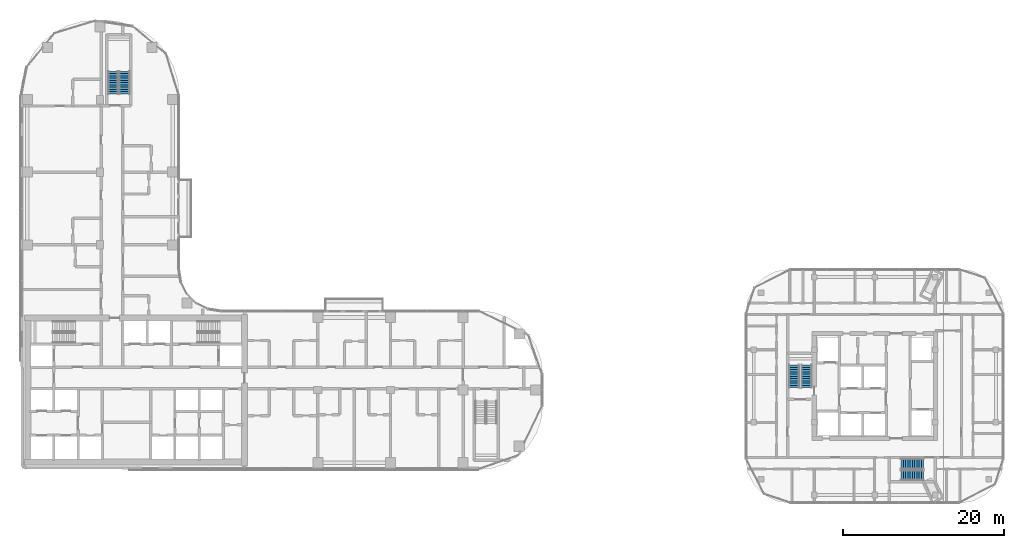
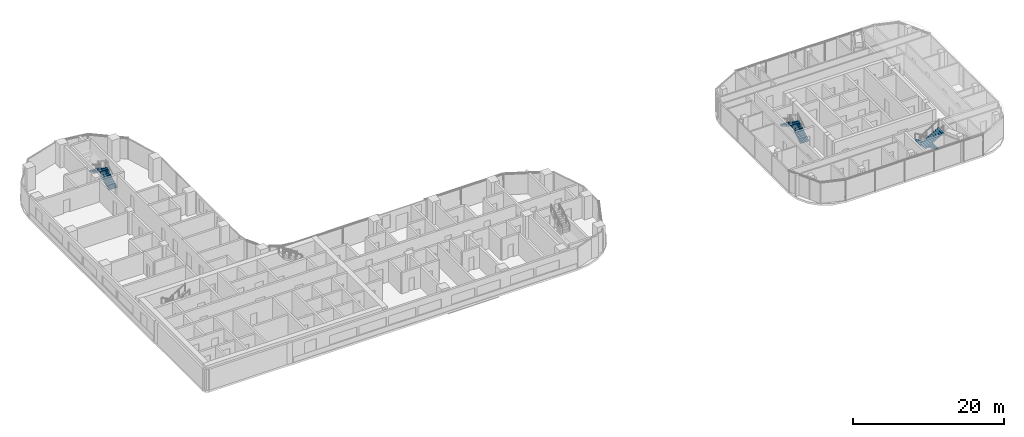
# One storey, part 29 of 35: 6 stair flights, 3 elements without a shape of their own.
"""IFC4 building model written with IfcOpenShell, lengths in metres."""

from ifc_helpers import new_model, si_unit, direction, frame, origin, place, context, subcontext, project, spatial, triangles, source, transform, mapped, material, type_object, element, aggregate, save


model = new_model("IFC4")

# Units and contexts
model_context = context("Model", 3, precision=1e-05, world=origin(), true_north=direction((0.0, 1.0)))
body_context = subcontext(model_context, "Body", "Model", "MODEL_VIEW")
ifc_project = project(units=[si_unit("LENGTHUNIT", "METRE"), si_unit("AREAUNIT", "SQUARE_METRE"), si_unit("VOLUMEUNIT", "CUBIC_METRE"), si_unit("PLANEANGLEUNIT", "RADIAN"), si_unit("MASSUNIT", "GRAM", prefix="KILO")], contexts=[model_context])

# Site, building, storey
site_placement = place(None, origin())
site = spatial("IfcSite", under=ifc_project, at=site_placement, CompositionType="ELEMENT")
building_placement = place(site_placement, origin())
building = spatial("IfcBuilding", under=site, at=building_placement, Name="Ogive Portal Towers", CompositionType="ELEMENT")
storey_placement = place(building_placement, frame((0.0, 0.0, 90.800048828125)))
storey = spatial("IfcBuildingStorey", under=building, at=storey_placement, Name="L21", CompositionType="ELEMENT", Elevation=90.800048828125)

# Stair, stair flights
ifc_material = material(Name="Concrete C40/50", Category="concrete")
stair_type = type_object("IfcStairType", Name="INT-STAIR", PredefinedType="HALF_TURN_STAIR", material=ifc_material)
stair_1_placement = place(storey_placement, origin())
stair_1 = element("IfcStair", 1, at=stair_1_placement, inside=storey, type_object=stair_type, Name="L21 Exit Stair ST-A3", PredefinedType="HALF_TURN_STAIR")
stair_flight_type = type_object("IfcStairFlightType", Name="INT-FLIGHT", PredefinedType="STRAIGHT", material=ifc_material)
shared_shape = source(origin(), body_context, "Body", "Tessellation", [
    triangles([(0.0, -0.650146484375, 0.0), (0.0, -0.376220703125, 0.0), (0.0, -0.192626953125, 0.0), (0.0, -0.081298828125, 0.0), (0.0, -0.024169921875, 0.0), (0.0, -0.003173828125, 0.0), (0.0, 0.0, 0.0), (0.0, 0.0029296875, 0.0), (0.0, 0.02392578125, 0.0), (0.0, 0.0810546875, 0.0), (0.0, 0.1923828125, 0.0), (0.0, 0.3759765625, 0.0), (0.0, 0.64990234375, 0.0), (0.0, -0.650146484375, 0.168212890625), (0.0, -0.376220703125, 0.168212890625), (0.0, -0.192626953125, 0.168212890625), (0.0, -0.081298828125, 0.168212890625), (0.0, -0.024169921875, 0.168212890625), (0.0, -0.003173828125, 0.168212890625), (0.0, 0.0, 0.168212890625), (0.0, 0.0029296875, 0.168212890625), (0.0, 0.02392578125, 0.168212890625), (0.0, 0.0810546875, 0.168212890625), (0.0, 0.1923828125, 0.168212890625), (0.0, 0.3759765625, 0.168212890625), (0.0, 0.64990234375, 0.168212890625), (0.280029296875, -0.650146484375, 0.168212890625), (0.280029296875, -0.376220703125, 0.168212890625), (0.280029296875, -0.192626953125, 0.168212890625), (0.280029296875, -0.081298828125, 0.168212890625), (0.280029296875, -0.024169921875, 0.168212890625), (0.280029296875, -0.003173828125, 0.168212890625), (0.280029296875, 0.0, 0.168212890625), (0.280029296875, 0.0029296875, 0.168212890625), (0.280029296875, 0.02392578125, 0.168212890625), (0.280029296875, 0.0810546875, 0.168212890625), (0.280029296875, 0.1923828125, 0.168212890625), (0.280029296875, 0.3759765625, 0.168212890625), (0.280029296875, 0.64990234375, 0.168212890625), (0.280029296875, -0.650146484375, 0.33642578125), (0.280029296875, -0.376220703125, 0.33642578125), (0.280029296875, -0.192626953125, 0.33642578125), (0.280029296875, -0.081298828125, 0.33642578125), (0.280029296875, -0.024169921875, 0.33642578125), (0.280029296875, -0.003173828125, 0.33642578125), (0.280029296875, 0.0, 0.33642578125), (0.280029296875, 0.0029296875, 0.33642578125), (0.280029296875, 0.02392578125, 0.33642578125), (0.280029296875, 0.0810546875, 0.33642578125), (0.280029296875, 0.1923828125, 0.33642578125), (0.280029296875, 0.3759765625, 0.33642578125), (0.280029296875, 0.64990234375, 0.33642578125), (0.56005859375, -0.650146484375, 0.33642578125), (0.56005859375, -0.376220703125, 0.33642578125), (0.56005859375, -0.192626953125, 0.33642578125), (0.56005859375, -0.081298828125, 0.33642578125), (0.56005859375, -0.024169921875, 0.33642578125), (0.56005859375, -0.003173828125, 0.33642578125), (0.56005859375, 0.0, 0.33642578125), (0.56005859375, 0.0029296875, 0.33642578125), (0.56005859375, 0.02392578125, 0.33642578125), (0.56005859375, 0.0810546875, 0.33642578125), (0.56005859375, 0.1923828125, 0.33642578125), (0.56005859375, 0.3759765625, 0.33642578125), (0.56005859375, 0.64990234375, 0.33642578125), (0.56005859375, -0.650146484375, 0.504638671875), (0.56005859375, -0.376220703125, 0.504638671875), (0.56005859375, -0.192626953125, 0.504638671875), (0.56005859375, -0.081298828125, 0.504638671875), (0.56005859375, -0.024169921875, 0.504638671875), (0.56005859375, -0.003173828125, 0.504638671875), (0.56005859375, 0.0, 0.504638671875), (0.56005859375, 0.0029296875, 0.504638671875), (0.56005859375, 0.02392578125, 0.504638671875), (0.56005859375, 0.0810546875, 0.504638671875), (0.56005859375, 0.1923828125, 0.504638671875), (0.56005859375, 0.3759765625, 0.504638671875), (0.56005859375, 0.64990234375, 0.504638671875), (0.840087890625, -0.650146484375, 0.504638671875), (0.840087890625, -0.376220703125, 0.504638671875), (0.840087890625, -0.192626953125, 0.504638671875), (0.840087890625, -0.081298828125, 0.504638671875), (0.840087890625, -0.024169921875, 0.504638671875), (0.840087890625, -0.003173828125, 0.504638671875), (0.840087890625, 0.0, 0.504638671875), (0.840087890625, 0.0029296875, 0.504638671875), (0.840087890625, 0.02392578125, 0.504638671875), (0.840087890625, 0.0810546875, 0.504638671875), (0.840087890625, 0.1923828125, 0.504638671875), (0.840087890625, 0.3759765625, 0.504638671875), (0.840087890625, 0.64990234375, 0.504638671875), (0.840087890625, -0.650146484375, 0.672607421875), (0.840087890625, -0.376220703125, 0.672607421875), (0.840087890625, -0.192626953125, 0.672607421875), (0.840087890625, -0.081298828125, 0.672607421875), (0.840087890625, -0.024169921875, 0.672607421875), (0.840087890625, -0.003173828125, 0.672607421875), (0.840087890625, 0.0, 0.672607421875), (0.840087890625, 0.0029296875, 0.672607421875), (0.840087890625, 0.02392578125, 0.672607421875), (0.840087890625, 0.0810546875, 0.672607421875), (0.840087890625, 0.1923828125, 0.672607421875), (0.840087890625, 0.3759765625, 0.672607421875), (0.840087890625, 0.64990234375, 0.672607421875), (1.1201171875, -0.650146484375, 0.672607421875), (1.1201171875, -0.376220703125, 0.672607421875), (1.1201171875, -0.192626953125, 0.672607421875), (1.1201171875, -0.081298828125, 0.672607421875), (1.1201171875, -0.024169921875, 0.672607421875), (1.1201171875, -0.003173828125, 0.672607421875), (1.1201171875, 0.0, 0.672607421875), (1.1201171875, 0.0029296875, 0.672607421875), (1.1201171875, 0.02392578125, 0.672607421875), (1.1201171875, 0.0810546875, 0.672607421875), (1.1201171875, 0.1923828125, 0.672607421875), (1.1201171875, 0.3759765625, 0.672607421875), (1.1201171875, 0.64990234375, 0.672607421875), (1.1201171875, -0.650146484375, 0.8408203125), (1.1201171875, -0.376220703125, 0.8408203125), (1.1201171875, -0.192626953125, 0.8408203125), (1.1201171875, -0.081298828125, 0.8408203125), (1.1201171875, -0.024169921875, 0.8408203125), (1.1201171875, -0.003173828125, 0.8408203125), (1.1201171875, 0.0, 0.8408203125), (1.1201171875, 0.0029296875, 0.8408203125), (1.1201171875, 0.02392578125, 0.8408203125), (1.1201171875, 0.0810546875, 0.8408203125), (1.1201171875, 0.1923828125, 0.8408203125), (1.1201171875, 0.3759765625, 0.8408203125), (1.1201171875, 0.64990234375, 0.8408203125), (1.39990234375, -0.650146484375, 0.8408203125), (1.39990234375, -0.376220703125, 0.8408203125), (1.39990234375, -0.192626953125, 0.8408203125), (1.39990234375, -0.081298828125, 0.8408203125), (1.39990234375, -0.024169921875, 0.8408203125), (1.39990234375, -0.003173828125, 0.8408203125), (1.39990234375, 0.0, 0.8408203125), (1.39990234375, 0.0029296875, 0.8408203125), (1.39990234375, 0.02392578125, 0.8408203125), (1.39990234375, 0.0810546875, 0.8408203125), (1.39990234375, 0.1923828125, 0.8408203125), (1.39990234375, 0.3759765625, 0.8408203125), (1.39990234375, 0.64990234375, 0.8408203125), (1.39990234375, -0.650146484375, 1.009033203125), (1.39990234375, -0.376220703125, 1.009033203125), (1.39990234375, -0.192626953125, 1.009033203125), (1.39990234375, -0.081298828125, 1.009033203125), (1.39990234375, -0.024169921875, 1.009033203125), (1.39990234375, -0.003173828125, 1.009033203125), (1.39990234375, 0.0, 1.009033203125), (1.39990234375, 0.0029296875, 1.009033203125), (1.39990234375, 0.02392578125, 1.009033203125), (1.39990234375, 0.0810546875, 1.009033203125), (1.39990234375, 0.1923828125, 1.009033203125), (1.39990234375, 0.3759765625, 1.009033203125), (1.39990234375, 0.64990234375, 1.009033203125), (1.679931640625, -0.650146484375, 1.009033203125), (1.679931640625, -0.376220703125, 1.009033203125), (1.679931640625, -0.192626953125, 1.009033203125), (1.679931640625, -0.081298828125, 1.009033203125), (1.679931640625, -0.024169921875, 1.009033203125), (1.679931640625, -0.003173828125, 1.009033203125), (1.679931640625, 0.0, 1.009033203125), (1.679931640625, 0.0029296875, 1.009033203125), (1.679931640625, 0.02392578125, 1.009033203125), (1.679931640625, 0.0810546875, 1.009033203125), (1.679931640625, 0.1923828125, 1.009033203125), (1.679931640625, 0.3759765625, 1.009033203125), (1.679931640625, 0.64990234375, 1.009033203125), (1.679931640625, -0.650146484375, 1.17724609375), (1.679931640625, -0.376220703125, 1.17724609375), (1.679931640625, -0.192626953125, 1.17724609375), (1.679931640625, -0.081298828125, 1.17724609375), (1.679931640625, -0.024169921875, 1.17724609375), (1.679931640625, -0.003173828125, 1.17724609375), (1.679931640625, 0.0, 1.17724609375), (1.679931640625, 0.0029296875, 1.17724609375), (1.679931640625, 0.02392578125, 1.17724609375), (1.679931640625, 0.0810546875, 1.17724609375), (1.679931640625, 0.1923828125, 1.17724609375), (1.679931640625, 0.3759765625, 1.17724609375), (1.679931640625, 0.64990234375, 1.17724609375), (1.9599609375, -0.650146484375, 1.17724609375), (1.9599609375, -0.376220703125, 1.17724609375), (1.9599609375, -0.192626953125, 1.17724609375), (1.9599609375, -0.081298828125, 1.17724609375), (1.9599609375, -0.024169921875, 1.17724609375), (1.9599609375, -0.003173828125, 1.17724609375), (1.9599609375, 0.0, 1.17724609375), (1.9599609375, 0.0029296875, 1.17724609375), (1.9599609375, 0.02392578125, 1.17724609375), (1.9599609375, 0.0810546875, 1.17724609375), (1.9599609375, 0.1923828125, 1.17724609375), (1.9599609375, 0.3759765625, 1.17724609375), (1.9599609375, 0.64990234375, 1.17724609375), (1.9599609375, -0.650146484375, 1.345458984375), (1.9599609375, -0.376220703125, 1.345458984375), (1.9599609375, -0.192626953125, 1.345458984375), (1.9599609375, -0.081298828125, 1.345458984375), (1.9599609375, -0.024169921875, 1.345458984375), (1.9599609375, -0.003173828125, 1.345458984375), (1.9599609375, 0.0, 1.345458984375), (1.9599609375, 0.0029296875, 1.345458984375), (1.9599609375, 0.02392578125, 1.345458984375), (1.9599609375, 0.0810546875, 1.345458984375), (1.9599609375, 0.1923828125, 1.345458984375), (1.9599609375, 0.3759765625, 1.345458984375), (1.9599609375, 0.64990234375, 1.345458984375), (2.239990234375, -0.650146484375, 1.345458984375), (2.239990234375, -0.376220703125, 1.345458984375), (2.239990234375, -0.192626953125, 1.345458984375), (2.239990234375, -0.081298828125, 1.345458984375), (2.239990234375, -0.024169921875, 1.345458984375), (2.239990234375, -0.003173828125, 1.345458984375), (2.239990234375, 0.0, 1.345458984375), (2.239990234375, 0.0029296875, 1.345458984375), (2.239990234375, 0.02392578125, 1.345458984375), (2.239990234375, 0.0810546875, 1.345458984375), (2.239990234375, 0.1923828125, 1.345458984375), (2.239990234375, 0.3759765625, 1.345458984375), (2.239990234375, 0.64990234375, 1.345458984375), (2.239990234375, -0.650146484375, 1.513671875), (2.239990234375, -0.376220703125, 1.513671875), (2.239990234375, -0.192626953125, 1.513671875), (2.239990234375, -0.081298828125, 1.513671875), (2.239990234375, -0.024169921875, 1.513671875), (2.239990234375, -0.003173828125, 1.513671875), (2.239990234375, 0.0, 1.513671875), (2.239990234375, 0.0029296875, 1.513671875), (2.239990234375, 0.02392578125, 1.513671875), (2.239990234375, 0.0810546875, 1.513671875), (2.239990234375, 0.1923828125, 1.513671875), (2.239990234375, 0.3759765625, 1.513671875), (2.239990234375, 0.64990234375, 1.513671875), (2.52001953125, -0.650146484375, 1.513671875), (2.52001953125, -0.376220703125, 1.513671875), (2.52001953125, -0.192626953125, 1.513671875), (2.52001953125, -0.081298828125, 1.513671875), (2.52001953125, -0.024169921875, 1.513671875), (2.52001953125, -0.003173828125, 1.513671875), (2.52001953125, 0.0, 1.513671875), (2.52001953125, 0.0029296875, 1.513671875), (2.52001953125, 0.02392578125, 1.513671875), (2.52001953125, 0.0810546875, 1.513671875), (2.52001953125, 0.1923828125, 1.513671875), (2.52001953125, 0.3759765625, 1.513671875), (2.52001953125, 0.64990234375, 1.513671875), (2.52001953125, -0.650146484375, 1.681884765625), (2.52001953125, -0.376220703125, 1.681884765625), (2.52001953125, -0.192626953125, 1.681884765625), (2.52001953125, -0.081298828125, 1.681884765625), (2.52001953125, -0.024169921875, 1.681884765625), (2.52001953125, -0.003173828125, 1.681884765625), (2.52001953125, 0.0, 1.681884765625), (2.52001953125, 0.0029296875, 1.681884765625), (2.52001953125, 0.02392578125, 1.681884765625), (2.52001953125, 0.0810546875, 1.681884765625), (2.52001953125, 0.1923828125, 1.681884765625), (2.52001953125, 0.3759765625, 1.681884765625), (2.52001953125, 0.64990234375, 1.681884765625), (2.800048828125, -0.650146484375, 1.681884765625), (2.800048828125, -0.376220703125, 1.681884765625), (2.800048828125, -0.192626953125, 1.681884765625), (2.800048828125, -0.081298828125, 1.681884765625), (2.800048828125, -0.024169921875, 1.681884765625), (2.800048828125, -0.003173828125, 1.681884765625), (2.800048828125, 0.0, 1.681884765625), (2.800048828125, 0.0029296875, 1.681884765625), (2.800048828125, 0.02392578125, 1.681884765625), (2.800048828125, 0.0810546875, 1.681884765625), (2.800048828125, 0.1923828125, 1.681884765625), (2.800048828125, 0.3759765625, 1.681884765625), (2.800048828125, 0.64990234375, 1.681884765625), (2.800048828125, -0.650146484375, 1.5068359375), (2.800048828125, -0.376220703125, 1.5068359375), (2.800048828125, -0.192626953125, 1.5068359375), (2.800048828125, -0.081298828125, 1.5068359375), (2.800048828125, -0.024169921875, 1.5068359375), (2.800048828125, -0.003173828125, 1.5068359375), (2.800048828125, 0.0, 1.5068359375), (2.800048828125, 0.0029296875, 1.5068359375), (2.800048828125, 0.02392578125, 1.5068359375), (2.800048828125, 0.0810546875, 1.5068359375), (2.800048828125, 0.1923828125, 1.5068359375), (2.800048828125, 0.3759765625, 1.5068359375), (2.800048828125, 0.64990234375, 1.5068359375), (0.291015625, -0.650146484375, 0.0), (0.291015625, -0.376220703125, 0.0), (0.291015625, -0.192626953125, 0.0), (0.291015625, -0.081298828125, 0.0), (0.291015625, -0.024169921875, 0.0), (0.291015625, -0.003173828125, 0.0), (0.291015625, 0.0, 0.0), (0.291015625, 0.0029296875, 0.0), (0.291015625, 0.02392578125, 0.0), (0.291015625, 0.0810546875, 0.0), (0.291015625, 0.1923828125, 0.0), (0.291015625, 0.3759765625, 0.0), (0.291015625, 0.64990234375, 0.0)], [[1, 14, 15], [1, 15, 2], [2, 15, 16], [2, 16, 3], [3, 16, 17], [3, 17, 4], [4, 17, 18], [4, 18, 5], [5, 18, 19], [5, 19, 6], [6, 19, 20], [6, 20, 7], [7, 20, 21], [7, 21, 8], [8, 21, 22], [8, 22, 9], [9, 22, 23], [9, 23, 10], [10, 23, 24], [10, 24, 11], [11, 24, 25], [11, 25, 12], [12, 25, 26], [12, 26, 13], [14, 27, 28], [14, 28, 15], [15, 28, 29], [15, 29, 16], [16, 29, 30], [16, 30, 17], [17, 30, 31], [17, 31, 18], [18, 31, 32], [18, 32, 19], [19, 32, 33], [19, 33, 20], [20, 33, 34], [20, 34, 21], [21, 34, 35], [21, 35, 22], [22, 35, 36], [22, 36, 23], [23, 36, 37], [23, 37, 24], [24, 37, 38], [24, 38, 25], [25, 38, 39], [25, 39, 26], [27, 40, 41], [27, 41, 28], [28, 41, 42], [28, 42, 29], [29, 42, 43], [29, 43, 30], [30, 43, 44], [30, 44, 31], [31, 44, 45], [31, 45, 32], [32, 45, 46], [32, 46, 33], [33, 46, 47], [33, 47, 34], [34, 47, 48], [34, 48, 35], [35, 48, 49], [35, 49, 36], [36, 49, 50], [36, 50, 37], [37, 50, 51], [37, 51, 38], [38, 51, 52], [38, 52, 39], [40, 53, 54], [40, 54, 41], [41, 54, 55], [41, 55, 42], [42, 55, 56], [42, 56, 43], [43, 56, 57], [43, 57, 44], [44, 57, 58], [44, 58, 45], [45, 58, 59], [45, 59, 46], [46, 59, 60], [46, 60, 47], [47, 60, 61], [47, 61, 48], [48, 61, 62], [48, 62, 49], [49, 62, 63], [49, 63, 50], [50, 63, 64], [50, 64, 51], [51, 64, 65], [51, 65, 52], [53, 66, 67], [53, 67, 54], [54, 67, 68], [54, 68, 55], [55, 68, 69], [55, 69, 56], [56, 69, 70], [56, 70, 57], [57, 70, 71], [57, 71, 58], [58, 71, 72], [58, 72, 59], [59, 72, 73], [59, 73, 60], [60, 73, 74], [60, 74, 61], [61, 74, 75], [61, 75, 62], [62, 75, 76], [62, 76, 63], [63, 76, 77], [63, 77, 64], [64, 77, 78], [64, 78, 65], [66, 79, 80], [66, 80, 67], [67, 80, 81], [67, 81, 68], [68, 81, 82], [68, 82, 69], [69, 82, 83], [69, 83, 70], [70, 83, 84], [70, 84, 71], [71, 84, 85], [71, 85, 72], [72, 85, 86], [72, 86, 73], [73, 86, 87], [73, 87, 74], [74, 87, 88], [74, 88, 75], [75, 88, 89], [75, 89, 76], [76, 89, 90], [76, 90, 77], [77, 90, 91], [77, 91, 78], [79, 92, 93], [79, 93, 80], [80, 93, 94], [80, 94, 81], [81, 94, 95], [81, 95, 82], [82, 95, 96], [82, 96, 83], [83, 96, 97], [83, 97, 84], [84, 97, 98], [84, 98, 85], [85, 98, 99], [85, 99, 86], [86, 99, 100], [86, 100, 87], [87, 100, 101], [87, 101, 88], [88, 101, 102], [88, 102, 89], [89, 102, 103], [89, 103, 90], [90, 103, 104], [90, 104, 91], [92, 105, 106], [92, 106, 93], [93, 106, 107], [93, 107, 94], [94, 107, 108], [94, 108, 95], [95, 108, 109], [95, 109, 96], [96, 109, 110], [96, 110, 97], [97, 110, 111], [97, 111, 98], [98, 111, 112], [98, 112, 99], [99, 112, 113], [99, 113, 100], [100, 113, 114], [100, 114, 101], [101, 114, 115], [101, 115, 102], [102, 115, 116], [102, 116, 103], [103, 116, 117], [103, 117, 104], [105, 118, 119], [105, 119, 106], [106, 119, 120], [106, 120, 107], [107, 120, 121], [107, 121, 108], [108, 121, 122], [108, 122, 109], [109, 122, 123], [109, 123, 110], [110, 123, 124], [110, 124, 111], [111, 124, 125], [111, 125, 112], [112, 125, 126], [112, 126, 113], [113, 126, 127], [113, 127, 114], [114, 127, 128], [114, 128, 115], [115, 128, 129], [115, 129, 116], [116, 129, 130], [116, 130, 117], [118, 131, 132], [118, 132, 119], [119, 132, 133], [119, 133, 120], [120, 133, 134], [120, 134, 121], [121, 134, 135], [121, 135, 122], [122, 135, 136], [122, 136, 123], [123, 136, 137], [123, 137, 124], [124, 137, 138], [124, 138, 125], [125, 138, 139], [125, 139, 126], [126, 139, 140], [126, 140, 127], [127, 140, 141], [127, 141, 128], [128, 141, 142], [128, 142, 129], [129, 142, 143], [129, 143, 130], [131, 144, 145], [131, 145, 132], [132, 145, 146], [132, 146, 133], [133, 146, 147], [133, 147, 134], [134, 147, 148], [134, 148, 135], [135, 148, 149], [135, 149, 136], [136, 149, 150], [136, 150, 137], [137, 150, 151], [137, 151, 138], [138, 151, 152], [138, 152, 139], [139, 152, 153], [139, 153, 140], [140, 153, 154], [140, 154, 141], [141, 154, 155], [141, 155, 142], [142, 155, 156], [142, 156, 143], [144, 157, 158], [144, 158, 145], [145, 158, 159], [145, 159, 146], [146, 159, 160], [146, 160, 147], [147, 160, 161], [147, 161, 148], [148, 161, 162], [148, 162, 149], [149, 162, 163], [149, 163, 150], [150, 163, 164], [150, 164, 151], [151, 164, 165], [151, 165, 152], [152, 165, 166], [152, 166, 153], [153, 166, 167], [153, 167, 154], [154, 167, 168], [154, 168, 155], [155, 168, 169], [155, 169, 156], [157, 170, 171], [157, 171, 158], [158, 171, 172], [158, 172, 159], [159, 172, 173], [159, 173, 160], [160, 173, 174], [160, 174, 161], [161, 174, 175], [161, 175, 162], [162, 175, 176], [162, 176, 163], [163, 176, 177], [163, 177, 164], [164, 177, 178], [164, 178, 165], [165, 178, 179], [165, 179, 166], [166, 179, 180], [166, 180, 167], [167, 180, 181], [167, 181, 168], [168, 181, 182], [168, 182, 169], [170, 183, 184], [170, 184, 171], [171, 184, 185], [171, 185, 172], [172, 185, 186], [172, 186, 173], [173, 186, 187], [173, 187, 174], [174, 187, 188], [174, 188, 175], [175, 188, 189], [175, 189, 176], [176, 189, 190], [176, 190, 177], [177, 190, 191], [177, 191, 178], [178, 191, 192], [178, 192, 179], [179, 192, 193], [179, 193, 180], [180, 193, 194], [180, 194, 181], [181, 194, 195], [181, 195, 182], [183, 196, 197], [183, 197, 184], [184, 197, 198], [184, 198, 185], [185, 198, 199], [185, 199, 186], [186, 199, 200], [186, 200, 187], [187, 200, 201], [187, 201, 188], [188, 201, 202], [188, 202, 189], [189, 202, 203], [189, 203, 190], [190, 203, 204], [190, 204, 191], [191, 204, 205], [191, 205, 192], [192, 205, 206], [192, 206, 193], [193, 206, 207], [193, 207, 194], [194, 207, 208], [194, 208, 195], [196, 209, 210], [196, 210, 197], [197, 210, 211], [197, 211, 198], [198, 211, 212], [198, 212, 199], [199, 212, 213], [199, 213, 200], [200, 213, 214], [200, 214, 201], [201, 214, 215], [201, 215, 202], [202, 215, 216], [202, 216, 203], [203, 216, 217], [203, 217, 204], [204, 217, 218], [204, 218, 205], [205, 218, 219], [205, 219, 206], [206, 219, 220], [206, 220, 207], [207, 220, 221], [207, 221, 208], [209, 222, 223], [209, 223, 210], [210, 223, 224], [210, 224, 211], [211, 224, 225], [211, 225, 212], [212, 225, 226], [212, 226, 213], [213, 226, 227], [213, 227, 214], [214, 227, 228], [214, 228, 215], [215, 228, 229], [215, 229, 216], [216, 229, 230], [216, 230, 217], [217, 230, 231], [217, 231, 218], [218, 231, 232], [218, 232, 219], [219, 232, 233], [219, 233, 220], [220, 233, 234], [220, 234, 221], [222, 235, 236], [222, 236, 223], [223, 236, 237], [223, 237, 224], [224, 237, 238], [224, 238, 225], [225, 238, 239], [225, 239, 226], [226, 239, 240], [226, 240, 227], [227, 240, 241], [227, 241, 228], [228, 241, 242], [228, 242, 229], [229, 242, 243], [229, 243, 230], [230, 243, 244], [230, 244, 231], [231, 244, 245], [231, 245, 232], [232, 245, 246], [232, 246, 233], [233, 246, 247], [233, 247, 234], [235, 248, 249], [235, 249, 236], [236, 249, 250], [236, 250, 237], [237, 250, 251], [237, 251, 238], [238, 251, 252], [238, 252, 239], [239, 252, 253], [239, 253, 240], [240, 253, 254], [240, 254, 241], [241, 254, 255], [241, 255, 242], [242, 255, 256], [242, 256, 243], [243, 256, 257], [243, 257, 244], [244, 257, 258], [244, 258, 245], [245, 258, 259], [245, 259, 246], [246, 259, 260], [246, 260, 247], [248, 261, 262], [248, 262, 249], [249, 262, 263], [249, 263, 250], [250, 263, 264], [250, 264, 251], [251, 264, 265], [251, 265, 252], [252, 265, 266], [252, 266, 253], [253, 266, 267], [253, 267, 254], [254, 267, 268], [254, 268, 255], [255, 268, 269], [255, 269, 256], [256, 269, 270], [256, 270, 257], [257, 270, 271], [257, 271, 258], [258, 271, 272], [258, 272, 259], [259, 272, 273], [259, 273, 260], [261, 274, 275], [261, 275, 262], [262, 275, 276], [262, 276, 263], [263, 276, 277], [263, 277, 264], [264, 277, 278], [264, 278, 265], [265, 278, 279], [265, 279, 266], [266, 279, 280], [266, 280, 267], [267, 280, 281], [267, 281, 268], [268, 281, 282], [268, 282, 269], [269, 282, 283], [269, 283, 270], [270, 283, 284], [270, 284, 271], [271, 284, 285], [271, 285, 272], [272, 285, 286], [272, 286, 273], [274, 287, 288], [274, 288, 275], [275, 288, 289], [275, 289, 276], [276, 289, 290], [276, 290, 277], [277, 290, 291], [277, 291, 278], [278, 291, 292], [278, 292, 279], [279, 292, 293], [279, 293, 280], [280, 293, 294], [280, 294, 281], [281, 294, 295], [281, 295, 282], [282, 295, 296], [282, 296, 283], [283, 296, 297], [283, 297, 284], [284, 297, 298], [284, 298, 285], [285, 298, 299], [285, 299, 286], [287, 1, 2], [287, 2, 288], [288, 2, 3], [288, 3, 289], [289, 3, 4], [289, 4, 290], [290, 4, 5], [290, 5, 291], [291, 5, 6], [291, 6, 292], [292, 6, 7], [292, 7, 293], [293, 7, 8], [293, 8, 294], [294, 8, 9], [294, 9, 295], [295, 9, 10], [295, 10, 296], [296, 10, 11], [296, 11, 297], [297, 11, 12], [297, 12, 298], [298, 12, 13], [298, 13, 299], [1, 287, 274], [13, 286, 299], [274, 261, 248], [286, 260, 273], [274, 248, 235], [286, 247, 260], [274, 235, 222], [286, 234, 247], [274, 222, 209], [286, 221, 234], [209, 196, 183], [221, 195, 208], [274, 209, 183], [286, 195, 221], [183, 170, 157], [195, 169, 182], [274, 183, 157], [286, 169, 195], [157, 144, 131], [169, 143, 156], [274, 157, 131], [286, 143, 169], [131, 118, 105], [143, 117, 130], [274, 131, 105], [286, 117, 143], [1, 274, 105], [13, 117, 286], [105, 92, 79], [117, 91, 104], [79, 66, 53], [91, 65, 78], [105, 79, 53], [117, 65, 91], [53, 40, 27], [65, 39, 52], [105, 53, 27], [117, 39, 65], [1, 105, 27], [13, 39, 117], [27, 14, 1], [39, 13, 26]], closed=True),
])
stair_flight_1_placement = place(storey_placement, frame((43.550048828125, 67.199951171875, 0.0), z_axis=(0.0, 0.0, 1.0), x_axis=(0.0, 1.0, 0.0)))
stair_flight_1 = element("IfcStairFlight", 2, at=stair_flight_1_placement, type_object=stair_flight_type, Name="ST-A3 flight 1", NumberOfRisers=11, NumberOfTreads=10, PredefinedType="STRAIGHT", RiserHeight=0.168181818, TreadLength=0.28, context=body_context, shape_type="MappedRepresentation", body=[
    mapped(shared_shape, transform((0.0, 0.0, 0.0), scale=1.0)),
])
stair_flight_2_placement = place(storey_placement, frame((42.14990234375, 70.0, 1.849853515625), z_axis=(0.0, 0.0, 1.0), x_axis=(0.0, -1.0, 0.0)))
stair_flight_2 = element("IfcStairFlight", 3, at=stair_flight_2_placement, type_object=stair_flight_type, Name="ST-A3 flight 2", NumberOfRisers=11, NumberOfTreads=10, PredefinedType="STRAIGHT", RiserHeight=0.168181818, TreadLength=0.28, context=body_context, shape_type="MappedRepresentation", body=[
    mapped(shared_shape, transform((0.0, 0.0, 0.0), scale=1.0)),
])
aggregate(stair_1, [stair_flight_1, stair_flight_2])

stair_2_placement = place(storey_placement, origin())
stair_2 = element("IfcStair", 4, at=stair_2_placement, inside=storey, type_object=stair_type, Name="L21 Exit Stair ST-B1", PredefinedType="HALF_TURN_STAIR")
stair_flight_3_placement = place(storey_placement, frame((128.050048828125, 30.800048828125, 0.0), z_axis=(0.0, 0.0, 1.0), x_axis=(0.0, 1.0, 0.0)))
stair_flight_3 = element("IfcStairFlight", 5, at=stair_flight_3_placement, type_object=stair_flight_type, Name="ST-B1 flight 1", NumberOfRisers=11, NumberOfTreads=10, PredefinedType="STRAIGHT", RiserHeight=0.168181818, TreadLength=0.28, context=body_context, shape_type="MappedRepresentation", body=[
    mapped(shared_shape, transform((0.0, 0.0, 0.0), scale=1.0)),
])
stair_flight_4_placement = place(storey_placement, frame((126.5, 33.60009765625, 1.849853515625), z_axis=(0.0, 0.0, 1.0), x_axis=(0.0, -1.0, 0.0)))
stair_flight_4 = element("IfcStairFlight", 6, at=stair_flight_4_placement, type_object=stair_flight_type, Name="ST-B1 flight 2", NumberOfRisers=11, NumberOfTreads=10, PredefinedType="STRAIGHT", RiserHeight=0.168181818, TreadLength=0.28, context=body_context, shape_type="MappedRepresentation", body=[
    mapped(shared_shape, transform((0.0, 0.0, 0.0), scale=1.0)),
])
aggregate(stair_2, [stair_flight_3, stair_flight_4])

stair_3_placement = place(storey_placement, origin())
stair_3 = element("IfcStair", 7, at=stair_3_placement, inside=storey, type_object=stair_type, Name="L21 Exit Stair ST-B2", PredefinedType="HALF_TURN_STAIR")
stair_flight_5_placement = place(storey_placement, frame((142.550048828125, 21.35009765625, 0.0), z_axis=(0.0, 0.0, 1.0), x_axis=(-1.0, 0.0, 0.0)))
stair_flight_5 = element("IfcStairFlight", 8, at=stair_flight_5_placement, type_object=stair_flight_type, Name="ST-B2 flight 1", NumberOfRisers=11, NumberOfTreads=10, PredefinedType="STRAIGHT", RiserHeight=0.168181818, TreadLength=0.28, context=body_context, shape_type="MappedRepresentation", body=[
    mapped(shared_shape, transform((0.0, 0.0, 0.0), scale=1.0)),
])
stair_flight_6_placement = place(storey_placement, frame((139.75, 19.949951171875, 1.849853515625), z_axis=(0.0, 0.0, 1.0), x_axis=(1.0, 0.0, 0.0)))
stair_flight_6 = element("IfcStairFlight", 9, at=stair_flight_6_placement, type_object=stair_flight_type, Name="ST-B2 flight 2", NumberOfRisers=11, NumberOfTreads=10, PredefinedType="STRAIGHT", RiserHeight=0.168181818, TreadLength=0.28, context=body_context, shape_type="MappedRepresentation", body=[
    mapped(shared_shape, transform((0.0, 0.0, 0.0), scale=1.0)),
])
aggregate(stair_3, [stair_flight_5, stair_flight_6])

save(model, "model.ifc")
